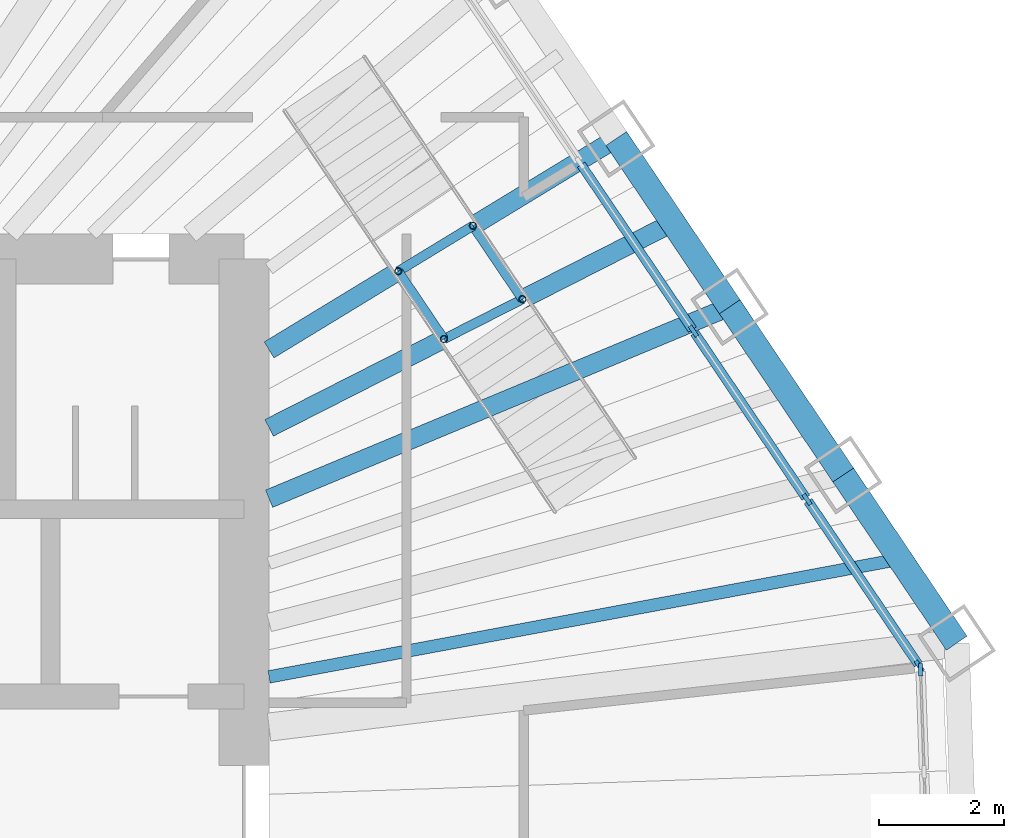
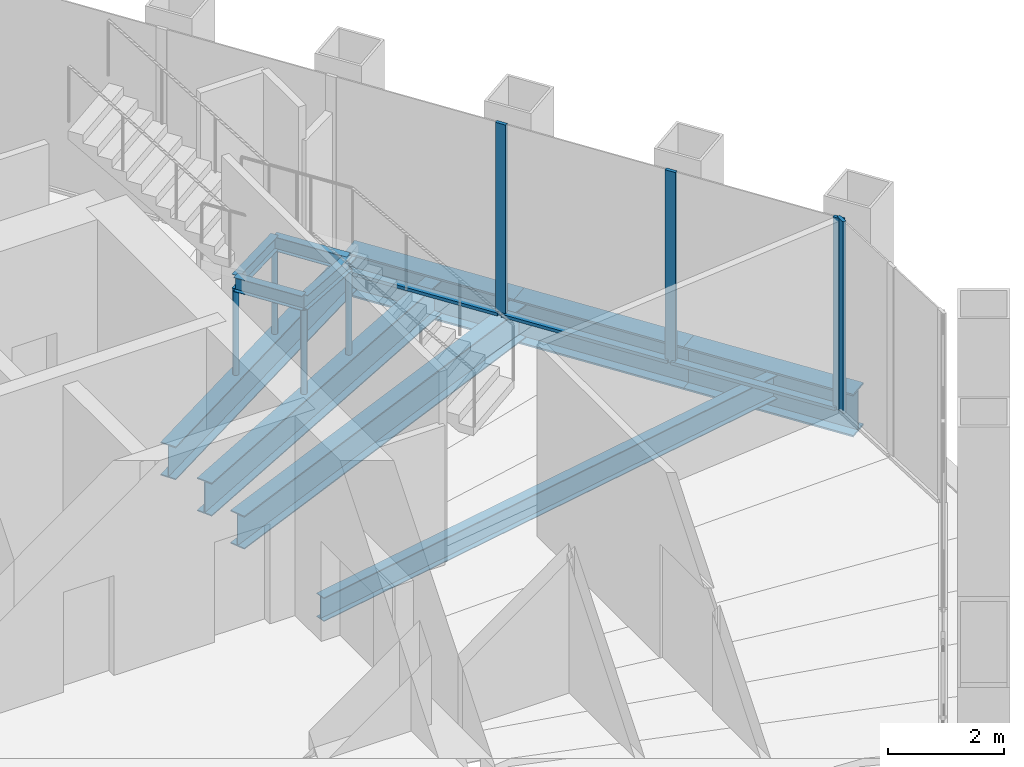
# One storey, part 6 of 14: 11 beams, 11 members, 2 elements without a shape of their own.
"""IFC4 building model written with IfcOpenShell, lengths in metres."""

from ifc_helpers import new_model, si_unit, direction, frame, origin, origin_2d, place, context, subcontext, project, spatial, rectangle, hollow_circle, i_section, extrude, material, material_profile, profile_set, type_object, element, aggregate, save


model = new_model("IFC4")

# Units and contexts
model_context = context("Model", 3, precision=1e-05, world=origin(), true_north=direction((0.0, 1.0)))
body_context = subcontext(model_context, "Body", "Model", "MODEL_VIEW")
ifc_project = project(units=[si_unit("LENGTHUNIT", "METRE"), si_unit("AREAUNIT", "SQUARE_METRE"), si_unit("VOLUMEUNIT", "CUBIC_METRE"), si_unit("PLANEANGLEUNIT", "RADIAN"), si_unit("MASSUNIT", "GRAM", prefix="KILO")], contexts=[model_context])

# Site, building, storey
site_placement = place(None, origin())
site = spatial("IfcSite", under=ifc_project, at=site_placement, CompositionType="ELEMENT")
building_placement = place(site_placement, origin())
building = spatial("IfcBuilding", under=site, at=building_placement, Name="Qingtian Harvest Tower", CompositionType="ELEMENT")
storey_placement = place(building_placement, frame((0.0, 0.0, 325.0)))
storey = spatial("IfcBuildingStorey", under=building, at=storey_placement, Name="L72", CompositionType="ELEMENT", Elevation=325.0)

# Beams
ifc_material_1 = material(Name="Steel SN490B", Category="steel")
ifc_material_profile_1 = material_profile(ifc_material_1, i_section(OverallWidth=0.300048828125, OverallDepth=0.699951171875, WebThickness=0.012939453125, FlangeThickness=0.02392578125, at=origin_2d()), Name="H700x300x13x24")
ifc_profile_set_1 = profile_set([ifc_material_profile_1], Name="Steel SN490B")
beam_type_1 = type_object("IfcBeamType", Name="Floor beam FB4 H700x300x13x24", PredefinedType="BEAM", material=ifc_profile_set_1)
beam_1_placement = place(storey_placement, frame((17.956787109375, 10.93212890625, -0.52001953125), z_axis=(-0.854157247087, -0.520014804836, 0.0), x_axis=(0.520014804836, -0.854157247087, 0.0)))
element("IfcBeam", 1, at=beam_1_placement, inside=storey, type_object=beam_type_1, Name="Floor beam FB4 NE3", PredefinedType="BEAM", context=body_context, shape_type="SweptSolid", body=[
    extrude(i_section(OverallWidth=0.300048828125, OverallDepth=0.699951171875, WebThickness=0.012939453125, FlangeThickness=0.02392578125, at=origin_2d()), origin(), (0.0, 0.0, 1.0), 6.505615234375),
])
beam_2_placement = place(storey_placement, frame((19.77294921875, 8.2392578125, -0.52001953125), z_axis=(-0.923069688542, -0.38463274704, 0.0), x_axis=(0.38463274704, -0.923069688542, 0.0)))
element("IfcBeam", 2, at=beam_2_placement, inside=storey, type_object=beam_type_1, Name="Floor beam FB4 NE4", PredefinedType="BEAM", context=body_context, shape_type="SweptSolid", body=[
    extrude(i_section(OverallWidth=0.300048828125, OverallDepth=0.699951171875, WebThickness=0.012939453125, FlangeThickness=0.02392578125, at=origin_2d()), origin(), (0.0, 0.0, 1.0), 7.987548828125),
])
ifc_material_2 = material(Name="Steel SN490B", Category="steel")
ifc_material_profile_2 = material_profile(ifc_material_2, i_section(OverallWidth=0.199951171875, OverallDepth=0.5, WebThickness=0.010009765625, FlangeThickness=0.01611328125, at=origin_2d()), Name="H500x200x10x16")
ifc_profile_set_2 = profile_set([ifc_material_profile_2], Name="Steel SN490B")
beam_type_2 = type_object("IfcBeamType", Name="Floor joist J3 H500x200x10x16", PredefinedType="JOIST", material=ifc_profile_set_2)
beam_3_placement = place(storey_placement, frame((22.49755859375, 4.2001953125, -0.419921875), z_axis=(-0.983018248018, -0.183507831067, 0.0), x_axis=(0.183507831067, -0.983018248018, 0.0)))
element("IfcBeam", 3, at=beam_3_placement, inside=storey, type_object=beam_type_2, Name="Floor joist J3 NE5", PredefinedType="JOIST", context=body_context, shape_type="SweptSolid", body=[
    extrude(i_section(OverallWidth=0.199951171875, OverallDepth=0.5, WebThickness=0.010009765625, FlangeThickness=0.01611328125, at=origin_2d()), origin(), (0.0, 0.0, 1.0), 10.27197265625),
])
ifc_material_3 = material(Name="Steel SN490B", Category="steel")
ifc_material_profile_3 = material_profile(ifc_material_3, i_section(OverallWidth=0.14990234375, OverallDepth=0.300048828125, WebThickness=0.006591796875, FlangeThickness=0.009033203125, at=origin_2d()), Name="H300x150x6.5x9")
ifc_profile_set_3 = profile_set([ifc_material_profile_3], Name="Steel SN490B")
beam_type_3 = type_object("IfcBeamType", Name="Landing beam LB1 H300x150x6.5x9", PredefinedType="BEAM", material=ifc_profile_set_3)
beam_4_placement = place(storey_placement, frame((16.455322265625, 8.361328125, 1.75), z_axis=(-0.891535602665, -0.452950625544, 0.0), x_axis=(0.452950625544, -0.891535602665, 0.0)))
element("IfcBeam", 4, at=beam_4_placement, inside=storey, type_object=beam_type_3, Name="Landing beam LB1 FS5 1", PredefinedType="BEAM", context=body_context, shape_type="SweptSolid", body=[
    extrude(i_section(OverallWidth=0.14990234375, OverallDepth=0.300048828125, WebThickness=0.006591796875, FlangeThickness=0.009033203125, at=origin_2d()), origin(), (0.0, 0.0, 1.0), 1.41064453125),
])
beam_5_placement = place(storey_placement, frame((15.6630859375, 9.53564453125, 1.75), z_axis=(-0.854154819712, -0.520018791932, 0.0), x_axis=(0.520018791932, -0.854154819712, 0.0)))
element("IfcBeam", 5, at=beam_5_placement, inside=storey, type_object=beam_type_3, Name="Landing beam LB1 FS5 2", PredefinedType="BEAM", context=body_context, shape_type="SweptSolid", body=[
    extrude(i_section(OverallWidth=0.14990234375, OverallDepth=0.300048828125, WebThickness=0.006591796875, FlangeThickness=0.009033203125, at=origin_2d()), origin(), (0.0, 0.0, 1.0), 1.4013671875),
])
beam_6_placement = place(storey_placement, frame((16.455322265625, 8.361328125, 1.75), z_axis=(-0.559265636457, 0.828988508894, 0.0), x_axis=(-0.828988508894, -0.559265636457, 0.0)))
element("IfcBeam", 6, at=beam_6_placement, inside=storey, type_object=beam_type_3, Name="Landing beam LB1 FS5 3", PredefinedType="BEAM", context=body_context, shape_type="SweptSolid", body=[
    extrude(i_section(OverallWidth=0.14990234375, OverallDepth=0.300048828125, WebThickness=0.006591796875, FlangeThickness=0.009033203125, at=origin_2d()), origin(), (0.0, 0.0, 1.0), 1.41650390625),
])
beam_7_placement = place(storey_placement, frame((15.19775390625, 7.722412109375, 1.75), z_axis=(-0.559299764688, 0.828965483732, 0.0), x_axis=(-0.828965483732, -0.559299764688, 0.0)))
element("IfcBeam", 7, at=beam_7_placement, inside=storey, type_object=beam_type_3, Name="Landing beam LB1 FS5 4", PredefinedType="BEAM", context=body_context, shape_type="SweptSolid", body=[
    extrude(i_section(OverallWidth=0.14990234375, OverallDepth=0.300048828125, WebThickness=0.006591796875, FlangeThickness=0.009033203125, at=origin_2d()), origin(), (0.0, 0.0, 1.0), 1.30810546875),
])

# Members
ifc_material_4 = material(Name="Steel SN490B", Category="steel")
ifc_material_profile_4 = material_profile(ifc_material_4, hollow_circle(Radius=0.05712890625, WallThickness=0.00634765625, at=origin_2d()), Name="CHS114.3x6.3")
ifc_profile_set_4 = profile_set([ifc_material_profile_4], Name="Steel SN490B")
member_type_1 = type_object("IfcMemberType", Name="Landing post LP1 CHS114.3x6.3", PredefinedType="POST", material=ifc_profile_set_4)
for number, where, z_axis, x_axis, name in (
    (8, (16.455322265625, 8.361328125, -0.169921875), (0.0, 0.0, 1.0), (1.0, 0.0, 0.0), "Landing post LP1 FS5 1"),
    (9, (15.19775390625, 7.722412109375, -0.169921875), (0.0, 0.0, 1.0), (1.0, 0.0, 0.0), "Landing post LP1 FS5 2"),
    (10, (15.6630859375, 9.53564453125, -0.169921875), (0.0, 0.0, 1.0), (1.0, 0.0, 0.0), "Landing post LP1 FS5 3"),
    (11, (14.466064453125, 8.806884765625, -0.169921875), (0.0, 0.0, 1.0), (1.0, 0.0, 0.0), "Landing post LP1 FS5 4"),
):
    element("IfcMember", number, at=place(storey_placement, frame(where, z_axis=z_axis, x_axis=x_axis)), inside=storey, type_object=member_type_1, Name=name, PredefinedType="POST", context=body_context, shape_type="SweptSolid", body=[
        extrude(hollow_circle(Radius=0.05712890625, WallThickness=0.00634765625, at=origin_2d()), origin(), (0.0, 0.0, 1.0), 1.77001953125),
    ])

# Curtain wall, members
ifc_material_5 = material(Name="Bronze-anodised aluminium curtain wall", Category="aluminium")
curtain_wall_type = type_object("IfcCurtainWallType", Name="Curtain wall CW6 executive floors", PredefinedType="USERDEFINED", material=ifc_material_5)
curtain_wall_1_placement = place(storey_placement, origin())
curtain_wall_1 = element("IfcCurtainWall", 12, at=curtain_wall_1_placement, inside=storey, type_object=curtain_wall_type, Name="Curtain wall CW6 L72 NE0-5", ObjectType="RECESSED CURTAIN WALL", PredefinedType="USERDEFINED")
ifc_material_6 = material(Name="Bronze-anodised aluminium mullion", Category="aluminium")
ifc_material_profile_5 = material_profile(ifc_material_6, rectangle(XDim=0.06494140625, YDim=0.199951171875, at=origin_2d()), Name="AL 65x200")
ifc_profile_set_5 = profile_set([ifc_material_profile_5], Name="Bronze-anodised aluminium mullion")
member_type_2 = type_object("IfcMemberType", Name="Mullion CWM 65x200", PredefinedType="MULLION", material=ifc_profile_set_5)
member_1_placement = place(storey_placement, frame((19.192626953125, 7.847900390625, 0.0), z_axis=(0.0, 0.0, 1.0), x_axis=(0.829037572555, 0.559192903471, 0.0)))
member_1 = element("IfcMember", 13, at=member_1_placement, type_object=member_type_2, Name="CW6 mullion 5", PredefinedType="MULLION", context=body_context, shape_type="SweptSolid", body=[
    extrude(rectangle(XDim=0.06494140625, YDim=0.199951171875, at=origin_2d()), origin(), (0.0, 0.0, 1.0), 4.030029296875),
])
member_2_placement = place(storey_placement, frame((21.009033203125, 5.1552734375, 0.0), z_axis=(0.0, 0.0, 1.0), x_axis=(0.829037572555, 0.559192903471, 0.0)))
member_2 = element("IfcMember", 14, at=member_2_placement, type_object=member_type_2, Name="CW6 mullion 6", PredefinedType="MULLION", context=body_context, shape_type="SweptSolid", body=[
    extrude(rectangle(XDim=0.06494140625, YDim=0.199951171875, at=origin_2d()), origin(), (0.0, 0.0, 1.0), 4.030029296875),
])
member_3_placement = place(storey_placement, frame((22.80712890625, 2.489501953125, 0.0), z_axis=(0.0, 0.0, 1.0), x_axis=(0.829037572555, 0.559192903471, 0.0)))
member_3 = element("IfcMember", 15, at=member_3_placement, type_object=member_type_2, Name="CW6 mullion 7", PredefinedType="MULLION", context=body_context, shape_type="SweptSolid", body=[
    extrude(rectangle(XDim=0.06494140625, YDim=0.199951171875, at=origin_2d()), origin(), (0.0, 0.0, 1.0), 4.030029296875),
])

# Curtain wall, member
curtain_wall_2_placement = place(storey_placement, origin())
curtain_wall_2 = element("IfcCurtainWall", 16, at=curtain_wall_2_placement, inside=storey, type_object=curtain_wall_type, Name="Curtain wall CW6 L72 NEC", ObjectType="RECESSED CURTAIN WALL", PredefinedType="USERDEFINED")
member_4_placement = place(storey_placement, frame((22.826416015625, 2.429931640625, 0.0), z_axis=(0.0, 0.0, 1.0), x_axis=(0.999390827019, 0.034899496703, 0.0)))
member_4 = element("IfcMember", 17, at=member_4_placement, type_object=member_type_2, Name="CW6 mullion 1", PredefinedType="MULLION", context=body_context, shape_type="SweptSolid", body=[
    extrude(rectangle(XDim=0.06494140625, YDim=0.199951171875, at=origin_2d()), origin(), (0.0, 0.0, 1.0), 4.030029296875),
])
aggregate(curtain_wall_2, [member_4])

# Beams
ifc_material_7 = material(Name="Steel SN490B", Category="steel")
ifc_material_profile_6 = material_profile(ifc_material_7, i_section(OverallWidth=0.39990234375, OverallDepth=0.89990234375, WebThickness=0.01904296875, FlangeThickness=0.035888671875, at=origin_2d()), Name="H900x400x19x36")
ifc_profile_set_6 = profile_set([ifc_material_profile_6], Name="Steel SN490B")
beam_type_4 = type_object("IfcBeamType", Name="Spandrel beam SB4 H900x400x19x36", PredefinedType="SPANDREL", material=ifc_profile_set_6)
for number, where, z_axis, x_axis, name in (
    (18, (17.956787109375, 10.93212890625, -0.449951171875), (0.55915007887, -0.829066456504, 0.0), (0.829066456504, 0.55915007887, 0.0), "Spandrel SB4 NE3"),
    (19, (19.77294921875, 8.2392578125, -0.449951171875), (0.5592365864, -0.829008106372, 0.0), (0.829008106372, 0.5592365864, 0.0), "Spandrel SB4 NE4"),
):
    element("IfcBeam", number, at=place(storey_placement, frame(where, z_axis=z_axis, x_axis=x_axis)), inside=storey, type_object=beam_type_4, Name=name, PredefinedType="SPANDREL", context=body_context, shape_type="SweptSolid", body=[
        extrude(i_section(OverallWidth=0.39990234375, OverallDepth=0.89990234375, WebThickness=0.01904296875, FlangeThickness=0.035888671875, at=origin_2d()), origin(), (0.0, 0.0, 1.0), 3.248046875),
    ])
beam_8_placement = place(storey_placement, frame((21.58935546875, 5.546630859375, -0.449951171875), z_axis=(0.559184924833, -0.829042954158, 0.0), x_axis=(0.829042954158, 0.559184924833, 0.0)))
element("IfcBeam", 20, at=beam_8_placement, inside=storey, type_object=beam_type_4, Name="Spandrel SB4 NE5", PredefinedType="SPANDREL", context=body_context, shape_type="SweptSolid", body=[
    extrude(i_section(OverallWidth=0.39990234375, OverallDepth=0.89990234375, WebThickness=0.01904296875, FlangeThickness=0.035888671875, at=origin_2d()), origin(), (0.0, 0.0, 1.0), 3.247802734375),
])
ifc_material_8 = material(Name="Steel SN490B", Category="steel")
ifc_material_profile_7 = material_profile(ifc_material_8, i_section(OverallWidth=0.300048828125, OverallDepth=0.699951171875, WebThickness=0.012939453125, FlangeThickness=0.02392578125, at=origin_2d()), Name="H700x300x13x24")
ifc_profile_set_7 = profile_set([ifc_material_profile_7], Name="Steel SN490B")
beam_type_5 = type_object("IfcBeamType", Name="Stair trimmer joist JT1 H700x300x13x24", PredefinedType="JOIST", material=ifc_profile_set_7)
beam_9_placement = place(storey_placement, frame((18.864990234375, 9.585693359375, -0.52001953125), z_axis=(-0.891519956149, -0.452981421018, 0.0), x_axis=(0.452981421018, -0.891519956149, 0.0)))
element("IfcBeam", 21, at=beam_9_placement, inside=storey, type_object=beam_type_5, Name="Stair trimmer joist JT1 NE3", PredefinedType="JOIST", context=body_context, shape_type="SweptSolid", body=[
    extrude(i_section(OverallWidth=0.300048828125, OverallDepth=0.699951171875, WebThickness=0.012939453125, FlangeThickness=0.02392578125, at=origin_2d()), origin(), (0.0, 0.0, 1.0), 7.251708984375),
])

# Member
ifc_material_9 = material(Name="Bronze-anodised aluminium transom", Category="aluminium")
ifc_material_profile_8 = material_profile(ifc_material_9, rectangle(XDim=0.14990234375, YDim=0.06494140625, at=origin_2d()), Name="AL 65x150")
ifc_profile_set_8 = profile_set([ifc_material_profile_8], Name="Bronze-anodised aluminium transom")
member_type_3 = type_object("IfcMemberType", Name="Transom CWT 65x150", PredefinedType="USERDEFINED", material=ifc_profile_set_8)
member_5_placement = place(storey_placement, frame((17.39453125, 10.513671875, 0.032470703125), z_axis=(0.55920542009, -0.829029129852, 0.0), x_axis=(0.829029129852, 0.55920542009, 0.0)))
member_5 = element("IfcMember", 22, at=member_5_placement, type_object=member_type_3, Name="CW6 transom 4.1", ObjectType="TRANSOM", PredefinedType="USERDEFINED", context=body_context, shape_type="SweptSolid", body=[
    extrude(rectangle(XDim=0.14990234375, YDim=0.06494140625, at=origin_2d()), origin(), (0.0, 0.0, 1.0), 3.18310546875),
])

member_6_placement = place(storey_placement, frame((19.2109375, 7.821044921875, 0.032470703125), z_axis=(0.559152702955, -0.829064686727, 0.0), x_axis=(0.829064686727, 0.559152702955, 0.0)))
member_6 = element("IfcMember", 23, at=member_6_placement, type_object=member_type_3, Name="CW6 transom 5.1", ObjectType="TRANSOM", PredefinedType="USERDEFINED", context=body_context, shape_type="SweptSolid", body=[
    extrude(rectangle(XDim=0.14990234375, YDim=0.06494140625, at=origin_2d()), origin(), (0.0, 0.0, 1.0), 3.18310546875),
])

member_7_placement = place(storey_placement, frame((21.027099609375, 5.128173828125, 0.032470703125), z_axis=(0.559198649732, -0.829033696624, 0.0), x_axis=(0.829033696624, 0.559198649732, 0.0)))
member_7 = element("IfcMember", 24, at=member_7_placement, type_object=member_type_3, Name="CW6 transom 6.1", ObjectType="TRANSOM", PredefinedType="USERDEFINED", context=body_context, shape_type="SweptSolid", body=[
    extrude(rectangle(XDim=0.14990234375, YDim=0.06494140625, at=origin_2d()), origin(), (0.0, 0.0, 1.0), 3.150390625),
])

aggregate(curtain_wall_1, [member_1, member_2, member_3, member_5, member_6, member_7])

save(model, "model.ifc")
